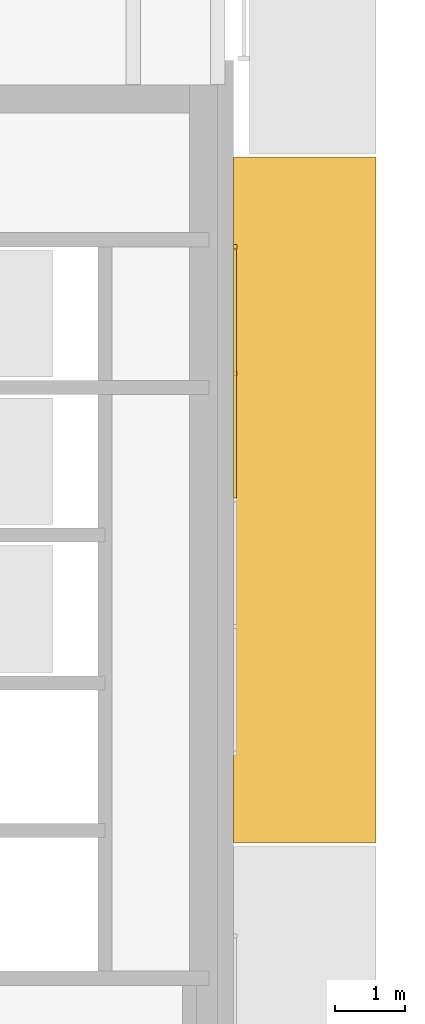
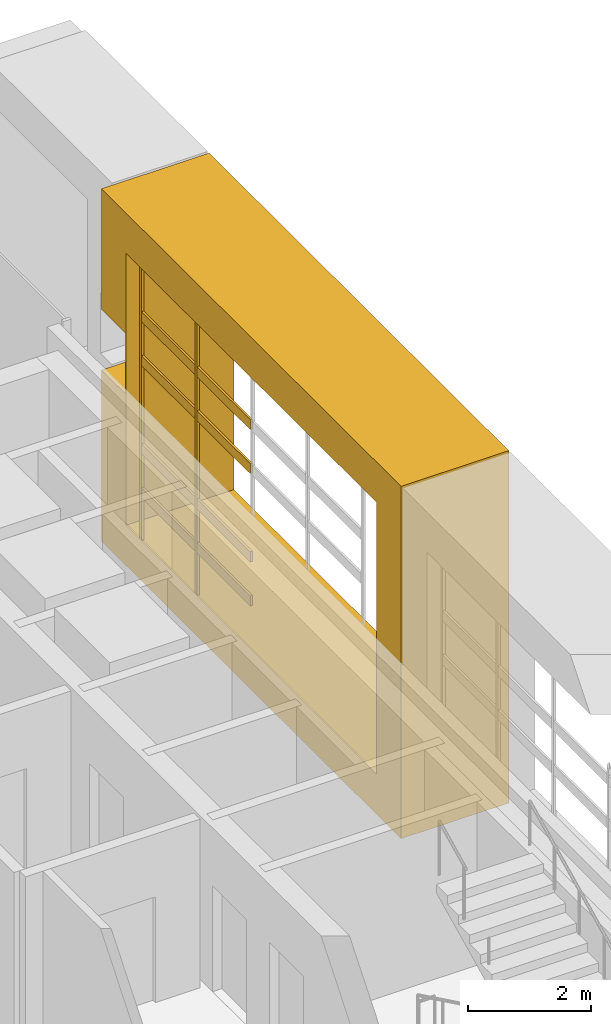
# One storey, part 19 of 21: 7 coverings.
"""IFC4 building model written with IfcOpenShell, lengths in metres."""

from ifc_helpers import new_model, si_unit, direction, frame, origin, origin_2d, place, context, subcontext, project, spatial, polyline, rectangle, outline, extrude, material, type_object, element, save


model = new_model("IFC4")

# Units and contexts
model_context = context("Model", 3, precision=1e-05, world=origin(), true_north=direction((0.0, 1.0)))
body_context = subcontext(model_context, "Body", "Model", "MODEL_VIEW")
ifc_project = project(units=[si_unit("LENGTHUNIT", "METRE"), si_unit("AREAUNIT", "SQUARE_METRE"), si_unit("VOLUMEUNIT", "CUBIC_METRE"), si_unit("PLANEANGLEUNIT", "RADIAN"), si_unit("MASSUNIT", "GRAM", prefix="KILO")], contexts=[model_context])

# Site, building, storey
site_placement = place(None, origin())
site = spatial("IfcSite", under=ifc_project, at=site_placement, CompositionType="ELEMENT")
building_placement = place(site_placement, origin())
building = spatial("IfcBuilding", under=site, at=building_placement, Name="Cobrizo Arcos Hotel Tower", CompositionType="ELEMENT")
storey_placement = place(building_placement, frame((0.0, 0.0, 269.0)))
storey = spatial("IfcBuildingStorey", under=building, at=storey_placement, Name="L71", CompositionType="ELEMENT", Elevation=269.0)

# Coverings
ifc_material_1 = material(Name="Aluminium 6063-T6 anodised bronze", Category="aluminium")
covering_type_1 = type_object("IfcCoveringType", Name="FIN-F 2025", PredefinedType="CLADDING", material=ifc_material_1)
covering_placement = place(storey_placement, frame((20.625, 0.02490234375, 0.0), z_axis=(1.0, 0.0, 0.0), x_axis=(0.0, 1.0, 0.0)))
element("IfcCovering", 1, at=covering_placement, inside=storey, type_object=covering_type_1, Name="Fin frame 397", PredefinedType="CLADDING", context=body_context, shape_type="SweptSolid", body=[
    extrude(outline(polyline([(9.75, 0.0), (9.75, 3.39794921875), (8.972900390625, 3.39794921875), (8.972900390625, 4.60205078125), (9.75, 4.60205078125), (9.75, 7.0), (0.0, 7.0), (0.0, 0.0), (9.75, 0.0)]), holes=[polyline([(8.949951171875, 0.800048828125), (0.800048828125, 0.800048828125), (0.800048828125, 6.199951171875), (8.949951171875, 6.199951171875), (8.949951171875, 0.800048828125)])]), origin(), (0.0, 0.0, 1.0), 2.02490234375),
])
ifc_material_2 = material(Name="Aluminium 6063-T6 anodised pale", Category="aluminium")
covering_type_2 = type_object("IfcCoveringType", Name="RS-2 rainscreen rib 60x50", PredefinedType="CLADDING", material=ifc_material_2)
for number, where, z_axis, x_axis, name in (
    (2, (20.64990234375, 6.699951171875, 0.800048828125), (0.0, 0.0, 1.0), (0.0, 1.0, 0.0), "Rainscreen rib 289"),
    (3, (20.64990234375, 8.5, 0.800048828125), (0.0, 0.0, 1.0), (0.0, 1.0, 0.0), "Rainscreen rib 290"),
):
    element("IfcCovering", number, at=place(storey_placement, frame(where, z_axis=z_axis, x_axis=x_axis)), inside=storey, type_object=covering_type_2, Name=name, PredefinedType="CLADDING", context=body_context, shape_type="SweptSolid", body=[
        extrude(rectangle(XDim=0.06005859375, YDim=0.050048828125, at=origin_2d()), origin(), (0.0, 0.0, 1.0), 5.39990234375),
    ])
covering_type_3 = type_object("IfcCoveringType", Name="RS-3 rainscreen louvre slat 200x40", PredefinedType="CLADDING", material=ifc_material_2)
for number, where, z_axis, x_axis, name in (
    (4, (20.64501953125, 6.699951171875, 1.64990234375), (0.0, 0.0, 1.0), (0.0, 1.0, 0.0), "Rainscreen slat 127"),
    (5, (20.64501953125, 6.699951171875, 2.52490234375), (0.0, 0.0, 1.0), (0.0, 1.0, 0.0), "Rainscreen slat 128"),
    (6, (20.64501953125, 6.699951171875, 4.27490234375), (0.0, 0.0, 1.0), (0.0, 1.0, 0.0), "Rainscreen slat 131"),
    (7, (20.64501953125, 6.699951171875, 5.14990234375), (0.0, 0.0, 1.0), (0.0, 1.0, 0.0), "Rainscreen slat 132"),
):
    element("IfcCovering", number, at=place(storey_placement, frame(where, z_axis=z_axis, x_axis=x_axis)), inside=storey, type_object=covering_type_3, Name=name, PredefinedType="CLADDING", context=body_context, shape_type="SweptSolid", body=[
        extrude(rectangle(XDim=3.5400390625, YDim=0.0400390625, at=origin_2d()), origin(), (0.0, 0.0, 1.0), 0.199951171875),
    ])

save(model, "model.ifc")
